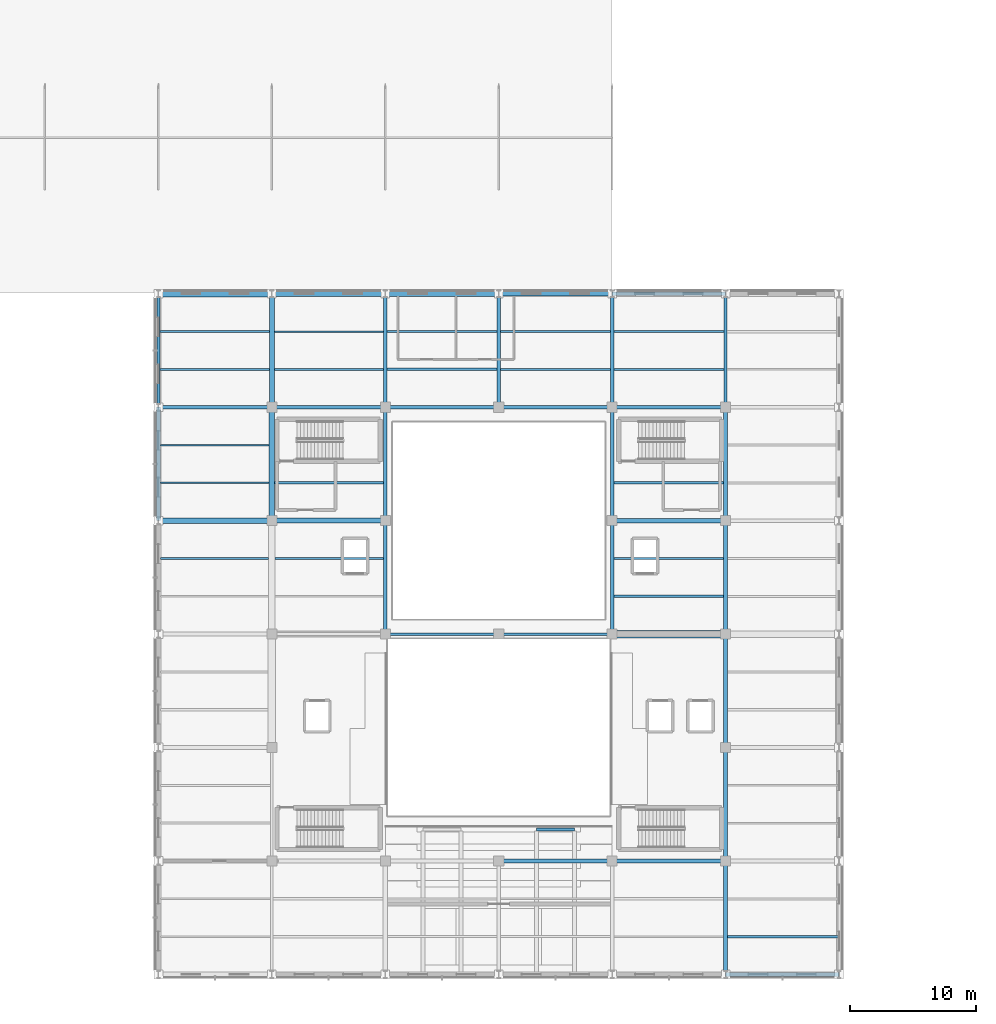
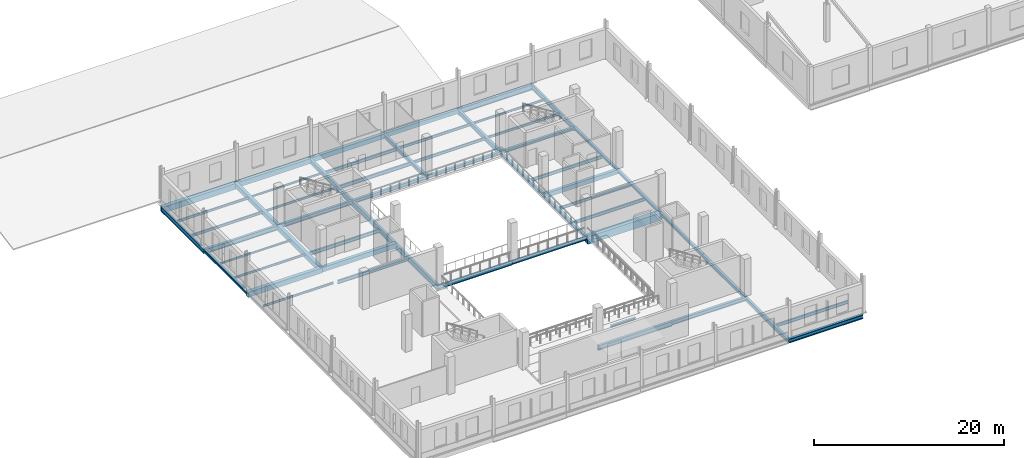
# One storey, part 6 of 35: 56 beams.
"""IFC4 building model written with IfcOpenShell, lengths in metres."""

from ifc_helpers import new_model, si_unit, direction, frame, origin, origin_2d, place, context, subcontext, project, spatial, rectangle, i_section, extrude, material, material_profile, profile_set, type_object, element, save


model = new_model("IFC4")

# Units and contexts
model_context = context("Model", 3, precision=1e-05, world=origin(), true_north=direction((0.0, 1.0)))
body_context = subcontext(model_context, "Body", "Model", "MODEL_VIEW")
ifc_project = project(units=[si_unit("LENGTHUNIT", "METRE"), si_unit("AREAUNIT", "SQUARE_METRE"), si_unit("VOLUMEUNIT", "CUBIC_METRE"), si_unit("PLANEANGLEUNIT", "RADIAN"), si_unit("MASSUNIT", "GRAM", prefix="KILO")], contexts=[model_context])

# Site, building, storey
site_placement = place(None, origin())
site = spatial("IfcSite", under=ifc_project, at=site_placement, CompositionType="ELEMENT")
building_placement = place(site_placement, origin())
building = spatial("IfcBuilding", under=site, at=building_placement, Name="Sundgate Opera House", CompositionType="ELEMENT")
storey_placement = place(building_placement, frame((0.0, 0.0, 21.60009765625)))
storey = spatial("IfcBuildingStorey", under=building, at=storey_placement, Name="L04", CompositionType="ELEMENT", Elevation=21.60009765625)

# Beams
ifc_material_1 = material(Name="Steel S355J2", Category="steel")
ifc_material_profile_1 = material_profile(ifc_material_1, i_section(OverallWidth=0.300048828125, OverallDepth=0.330078125, WebThickness=0.009521484375, FlangeThickness=0.0166015625, at=origin_2d()), Name="HEA 340")
ifc_profile_set_1 = profile_set([ifc_material_profile_1], Name="Steel S355J2")
beam_type_1 = type_object("IfcBeamType", Name="BM-GR-HEA340", PredefinedType="BEAM", material=ifc_profile_set_1)
for number, where, z_axis, x_axis, name in (
    (1, (27.0, 69.0, -0.445068359375), (0.0, 1.0, 0.0), (-1.0, 0.0, 0.0), "L04 Primary N-S Girder B2890"),
    (2, (72.0, 69.0, -0.445068359375), (0.0, 1.0, 0.0), (-1.0, 0.0, 0.0), "L04 Primary N-S Girder B2912"),
):
    element("IfcBeam", number, at=place(storey_placement, frame(where, z_axis=z_axis, x_axis=x_axis)), inside=storey, type_object=beam_type_1, Name=name, PredefinedType="BEAM", context=body_context, shape_type="SweptSolid", body=[
        extrude(i_section(OverallWidth=0.300048828125, OverallDepth=0.330078125, WebThickness=0.009521484375, FlangeThickness=0.0166015625, at=origin_2d()), origin(), (0.0, 0.0, 1.0), 9.0),
    ])
ifc_material_2 = material(Name="Steel S355J2", Category="steel")
ifc_material_profile_2 = material_profile(ifc_material_2, i_section(OverallWidth=0.300048828125, OverallDepth=0.35009765625, WebThickness=0.010009765625, FlangeThickness=0.017578125, at=origin_2d()), Name="HEA 360")
ifc_profile_set_2 = profile_set([ifc_material_profile_2], Name="Steel S355J2")
beam_type_2 = type_object("IfcBeamType", Name="BM-GR-HEA360", PredefinedType="BEAM", material=ifc_profile_set_2)
for number, where, z_axis, x_axis, name in (
    (3, (72.0, 60.0, -0.455078125), (0.0, 1.0, 0.0), (-1.0, 0.0, 0.0), "L04 Primary N-S Girder B2911"),
    (4, (63.0, 78.0, -0.455078125), (1.0, 0.0, 0.0), (0.0, 1.0, 0.0), "L04 Primary E-W Girder B2977"),
):
    element("IfcBeam", number, at=place(storey_placement, frame(where, z_axis=z_axis, x_axis=x_axis)), inside=storey, type_object=beam_type_2, Name=name, PredefinedType="BEAM", context=body_context, shape_type="SweptSolid", body=[
        extrude(i_section(OverallWidth=0.300048828125, OverallDepth=0.35009765625, WebThickness=0.010009765625, FlangeThickness=0.017578125, at=origin_2d()), origin(), (0.0, 0.0, 1.0), 9.0),
    ])
ifc_material_3 = material(Name="Steel S355J2", Category="steel")
ifc_material_profile_3 = material_profile(ifc_material_3, i_section(OverallWidth=0.300048828125, OverallDepth=0.389892578125, WebThickness=0.010986328125, FlangeThickness=0.01904296875, at=origin_2d()), Name="HEA 400")
ifc_profile_set_3 = profile_set([ifc_material_profile_3], Name="Steel S355J2")
beam_type_3 = type_object("IfcBeamType", Name="BM-GR-HEA400", PredefinedType="BEAM", material=ifc_profile_set_3)
for number, where, z_axis, x_axis, name in (
    (5, (72.0, 51.0, -0.47509765625), (0.0, 1.0, 0.0), (-1.0, 0.0, 0.0), "L04 Primary N-S Girder B2910"),
    (6, (54.0, 78.0, -0.47509765625), (1.0, 0.0, 0.0), (0.0, 1.0, 0.0), "L04 Primary E-W Girder B2976"),
):
    element("IfcBeam", number, at=place(storey_placement, frame(where, z_axis=z_axis, x_axis=x_axis)), inside=storey, type_object=beam_type_3, Name=name, PredefinedType="BEAM", context=body_context, shape_type="SweptSolid", body=[
        extrude(i_section(OverallWidth=0.300048828125, OverallDepth=0.389892578125, WebThickness=0.010986328125, FlangeThickness=0.01904296875, at=origin_2d()), origin(), (0.0, 0.0, 1.0), 9.0),
    ])
ifc_material_4 = material(Name="Steel S355J2", Category="steel")
ifc_material_profile_4 = material_profile(ifc_material_4, i_section(OverallWidth=0.300048828125, OverallDepth=0.43994140625, WebThickness=0.011474609375, FlangeThickness=0.02099609375, at=origin_2d()), Name="HEA 450")
ifc_profile_set_4 = profile_set([ifc_material_profile_4], Name="Steel S355J2")
beam_type_4 = type_object("IfcBeamType", Name="BM-GR-HEA450", PredefinedType="BEAM", material=ifc_profile_set_4)
for number, where, z_axis, x_axis, name in (
    (7, (72.0, 42.0, -0.5), (0.0, 1.0, 0.0), (-1.0, 0.0, 0.0), "L04 Primary N-S Girder B2909"),
    (8, (45.0, 78.0, -0.5), (1.0, 0.0, 0.0), (0.0, 1.0, 0.0), "L04 Primary E-W Girder B2975"),
):
    element("IfcBeam", number, at=place(storey_placement, frame(where, z_axis=z_axis, x_axis=x_axis)), inside=storey, type_object=beam_type_4, Name=name, PredefinedType="BEAM", context=body_context, shape_type="SweptSolid", body=[
        extrude(i_section(OverallWidth=0.300048828125, OverallDepth=0.43994140625, WebThickness=0.011474609375, FlangeThickness=0.02099609375, at=origin_2d()), origin(), (0.0, 0.0, 1.0), 9.0),
    ])
ifc_material_5 = material(Name="Steel S355J2", Category="steel")
ifc_material_profile_5 = material_profile(ifc_material_5, i_section(OverallWidth=0.300048828125, OverallDepth=0.489990234375, WebThickness=0.011962890625, FlangeThickness=0.02294921875, at=origin_2d()), Name="HEA 500")
ifc_profile_set_5 = profile_set([ifc_material_profile_5], Name="Steel S355J2")
beam_type_5 = type_object("IfcBeamType", Name="BM-GR-HEA500", PredefinedType="BEAM", material=ifc_profile_set_5)
for number, where, z_axis, x_axis, name in (
    (9, (72.0, 33.0, -0.525146484375), (0.0, 1.0, 0.0), (-1.0, 0.0, 0.0), "L04 Primary N-S Girder B2908"),
    (10, (63.0, 42.0, -0.525146484375), (1.0, 0.0, 0.0), (0.0, 1.0, 0.0), "L04 Primary E-W Girder B2952"),
    (11, (36.0, 78.0, -0.525146484375), (1.0, 0.0, 0.0), (0.0, 1.0, 0.0), "L04 Primary E-W Girder B2974"),
):
    element("IfcBeam", number, at=place(storey_placement, frame(where, z_axis=z_axis, x_axis=x_axis)), inside=storey, type_object=beam_type_5, Name=name, PredefinedType="BEAM", context=body_context, shape_type="SweptSolid", body=[
        extrude(i_section(OverallWidth=0.300048828125, OverallDepth=0.489990234375, WebThickness=0.011962890625, FlangeThickness=0.02294921875, at=origin_2d()), origin(), (0.0, 0.0, 1.0), 9.0),
    ])
ifc_material_6 = material(Name="Steel S355J2", Category="steel")
ifc_material_profile_6 = material_profile(ifc_material_6, i_section(OverallWidth=0.300048828125, OverallDepth=0.590087890625, WebThickness=0.012939453125, FlangeThickness=0.02490234375, at=origin_2d()), Name="HEA 600")
ifc_profile_set_6 = profile_set([ifc_material_profile_6], Name="Steel S355J2")
beam_type_6 = type_object("IfcBeamType", Name="BM-GR-HEA600", PredefinedType="BEAM", material=ifc_profile_set_6)
for number, where, z_axis, x_axis, name in (
    (12, (63.0, 78.0, -0.5751953125), (0.0, 1.0, 0.0), (-1.0, 0.0, 0.0), "L04 Primary N-S Girder B2907"),
    (13, (54.0, 42.0, -0.5751953125), (1.0, 0.0, 0.0), (0.0, 1.0, 0.0), "L04 Primary E-W Girder B2951"),
    (14, (27.0, 78.0, -0.5751953125), (1.0, 0.0, 0.0), (0.0, 1.0, 0.0), "L04 Primary E-W Girder B2973"),
):
    element("IfcBeam", number, at=place(storey_placement, frame(where, z_axis=z_axis, x_axis=x_axis)), inside=storey, type_object=beam_type_6, Name=name, PredefinedType="BEAM", context=body_context, shape_type="SweptSolid", body=[
        extrude(i_section(OverallWidth=0.300048828125, OverallDepth=0.590087890625, WebThickness=0.012939453125, FlangeThickness=0.02490234375, at=origin_2d()), origin(), (0.0, 0.0, 1.0), 9.0),
    ])
ifc_material_7 = material(Name="Steel S355J2", Category="steel")
ifc_material_profile_7 = material_profile(ifc_material_7, i_section(OverallWidth=0.300048828125, OverallDepth=0.360107421875, WebThickness=0.012451171875, FlangeThickness=0.0224609375, at=origin_2d()), Name="HEB 360")
ifc_profile_set_7 = profile_set([ifc_material_profile_7], Name="Steel S355J2")
beam_type_7 = type_object("IfcBeamType", Name="BM-GR-HEB360", PredefinedType="BEAM", material=ifc_profile_set_7)
beam_1_placement = place(storey_placement, frame((63.0, 69.0, -0.460205078125), z_axis=(0.0, 1.0, 0.0), x_axis=(-1.0, 0.0, 0.0)))
element("IfcBeam", 15, at=beam_1_placement, inside=storey, type_object=beam_type_7, Name="L04 Primary N-S Girder B2906", PredefinedType="BEAM", context=body_context, shape_type="SweptSolid", body=[
    extrude(i_section(OverallWidth=0.300048828125, OverallDepth=0.360107421875, WebThickness=0.012451171875, FlangeThickness=0.0224609375, at=origin_2d()), origin(), (0.0, 0.0, 1.0), 9.0),
])
ifc_material_8 = material(Name="Steel S355J2", Category="steel")
ifc_material_profile_8 = material_profile(ifc_material_8, i_section(OverallWidth=0.300048828125, OverallDepth=0.39990234375, WebThickness=0.013427734375, FlangeThickness=0.02392578125, at=origin_2d()), Name="HEB 400")
ifc_profile_set_8 = profile_set([ifc_material_profile_8], Name="Steel S355J2")
beam_type_8 = type_object("IfcBeamType", Name="BM-GR-HEB400", PredefinedType="BEAM", material=ifc_profile_set_8)
beam_2_placement = place(storey_placement, frame((63.0, 60.0, -0.47998046875), z_axis=(0.0, 1.0, 0.0), x_axis=(-1.0, 0.0, 0.0)))
element("IfcBeam", 16, at=beam_2_placement, inside=storey, type_object=beam_type_8, Name="L04 Primary N-S Girder B2905", PredefinedType="BEAM", context=body_context, shape_type="SweptSolid", body=[
    extrude(i_section(OverallWidth=0.300048828125, OverallDepth=0.39990234375, WebThickness=0.013427734375, FlangeThickness=0.02392578125, at=origin_2d()), origin(), (0.0, 0.0, 1.0), 9.0),
])
ifc_material_9 = material(Name="Steel S355J2", Category="steel")
ifc_material_profile_9 = material_profile(ifc_material_9, i_section(OverallWidth=0.300048828125, OverallDepth=0.5, WebThickness=0.014404296875, FlangeThickness=0.028076171875, at=origin_2d()), Name="HEB 500")
ifc_profile_set_9 = profile_set([ifc_material_profile_9], Name="Steel S355J2")
beam_type_9 = type_object("IfcBeamType", Name="BM-GR-HEB500", PredefinedType="BEAM", material=ifc_profile_set_9)
for number, where, z_axis, x_axis, name in (
    (17, (54.0, 78.0, -0.530029296875), (0.0, 1.0, 0.0), (-1.0, 0.0, 0.0), "L04 Primary N-S Girder B2903"),
    (18, (72.0, 33.0, -0.530029296875), (1.0, 0.0, 0.0), (0.0, 1.0, 0.0), "L04 Primary E-W Girder B2947"),
):
    element("IfcBeam", number, at=place(storey_placement, frame(where, z_axis=z_axis, x_axis=x_axis)), inside=storey, type_object=beam_type_9, Name=name, PredefinedType="BEAM", context=body_context, shape_type="SweptSolid", body=[
        extrude(i_section(OverallWidth=0.300048828125, OverallDepth=0.5, WebThickness=0.014404296875, FlangeThickness=0.028076171875, at=origin_2d()), origin(), (0.0, 0.0, 1.0), 9.0),
    ])
ifc_material_10 = material(Name="Steel S355J2", Category="steel")
ifc_material_profile_10 = material_profile(ifc_material_10, i_section(OverallWidth=0.300048828125, OverallDepth=0.60009765625, WebThickness=0.015380859375, FlangeThickness=0.030029296875, at=origin_2d()), Name="HEB 600")
ifc_profile_set_10 = profile_set([ifc_material_profile_10], Name="Steel S355J2")
beam_type_10 = type_object("IfcBeamType", Name="BM-GR-HEB600", PredefinedType="BEAM", material=ifc_profile_set_10)
beam_3_placement = place(storey_placement, frame((45.0, 78.0, -0.580078125), z_axis=(0.0, 1.0, 0.0), x_axis=(-1.0, 0.0, 0.0)))
element("IfcBeam", 19, at=beam_3_placement, inside=storey, type_object=beam_type_10, Name="L04 Primary N-S Girder B2901", PredefinedType="BEAM", context=body_context, shape_type="SweptSolid", body=[
    extrude(i_section(OverallWidth=0.300048828125, OverallDepth=0.60009765625, WebThickness=0.015380859375, FlangeThickness=0.030029296875, at=origin_2d()), origin(), (0.0, 0.0, 1.0), 9.0),
])
ifc_material_11 = material(Name="Steel S355J2", Category="steel")
ifc_material_profile_11 = material_profile(ifc_material_11, i_section(OverallWidth=0.300048828125, OverallDepth=0.64990234375, WebThickness=0.01611328125, FlangeThickness=0.031005859375, at=origin_2d()), Name="HEB 650")
ifc_profile_set_11 = profile_set([ifc_material_profile_11], Name="Steel S355J2")
beam_type_11 = type_object("IfcBeamType", Name="BM-GR-HEB650", PredefinedType="BEAM", material=ifc_profile_set_11)
beam_4_placement = place(storey_placement, frame((45.0, 69.0, -0.60498046875), z_axis=(0.0, 1.0, 0.0), x_axis=(-1.0, 0.0, 0.0)))
element("IfcBeam", 20, at=beam_4_placement, inside=storey, type_object=beam_type_11, Name="L04 Primary N-S Girder B2900", PredefinedType="BEAM", context=body_context, shape_type="SweptSolid", body=[
    extrude(i_section(OverallWidth=0.300048828125, OverallDepth=0.64990234375, WebThickness=0.01611328125, FlangeThickness=0.031005859375, at=origin_2d()), origin(), (0.0, 0.0, 1.0), 9.0),
])
ifc_material_12 = material(Name="Steel S355J2", Category="steel")
ifc_material_profile_12 = material_profile(ifc_material_12, i_section(OverallWidth=0.300048828125, OverallDepth=0.699951171875, WebThickness=0.01708984375, FlangeThickness=0.031982421875, at=origin_2d()), Name="HEB 700")
ifc_profile_set_12 = profile_set([ifc_material_profile_12], Name="Steel S355J2")
beam_type_12 = type_object("IfcBeamType", Name="BM-GR-HEB700", PredefinedType="BEAM", material=ifc_profile_set_12)
for number, where, z_axis, x_axis, name in (
    (21, (45.0, 60.0, -0.630126953125), (0.0, 1.0, 0.0), (-1.0, 0.0, 0.0), "L04 Primary N-S Girder B2899"),
    (22, (63.0, 87.0, -0.630126953125), (1.0, 0.0, 0.0), (0.0, 1.0, 0.0), "L04 Primary E-W Girder B2987"),
):
    element("IfcBeam", number, at=place(storey_placement, frame(where, z_axis=z_axis, x_axis=x_axis)), inside=storey, type_object=beam_type_12, Name=name, PredefinedType="BEAM", context=body_context, shape_type="SweptSolid", body=[
        extrude(i_section(OverallWidth=0.300048828125, OverallDepth=0.699951171875, WebThickness=0.01708984375, FlangeThickness=0.031982421875, at=origin_2d()), origin(), (0.0, 0.0, 1.0), 9.0),
    ])
ifc_material_13 = material(Name="Steel S355J2", Category="steel")
ifc_material_profile_13 = material_profile(ifc_material_13, i_section(OverallWidth=0.199951171875, OverallDepth=0.5, WebThickness=0.01025390625, FlangeThickness=0.01611328125, at=origin_2d()), Name="IPE 500")
ifc_profile_set_13 = profile_set([ifc_material_profile_13], Name="Steel S355J2")
beam_type_13 = type_object("IfcBeamType", Name="BM-GR-IPE500", PredefinedType="BEAM", material=ifc_profile_set_13)
beam_5_placement = place(storey_placement, frame((54.0, 60.0, -0.530029296875), z_axis=(1.0, 0.0, 0.0), x_axis=(0.0, 1.0, 0.0)))
element("IfcBeam", 23, at=beam_5_placement, inside=storey, type_object=beam_type_13, Name="L04 Primary E-W Girder B2959", PredefinedType="BEAM", context=body_context, shape_type="SweptSolid", body=[
    extrude(i_section(OverallWidth=0.199951171875, OverallDepth=0.5, WebThickness=0.01025390625, FlangeThickness=0.01611328125, at=origin_2d()), origin(), (0.0, 0.0, 1.0), 9.0),
])
ifc_material_14 = material(Name="Steel S355J2", Category="steel")
ifc_material_profile_14 = material_profile(ifc_material_14, i_section(OverallWidth=0.2099609375, OverallDepth=0.550048828125, WebThickness=0.010986328125, FlangeThickness=0.01708984375, at=origin_2d()), Name="IPE 550")
ifc_profile_set_14 = profile_set([ifc_material_profile_14], Name="Steel S355J2")
beam_type_14 = type_object("IfcBeamType", Name="BM-GR-IPE550", PredefinedType="BEAM", material=ifc_profile_set_14)
beam_6_placement = place(storey_placement, frame((45.0, 60.0, -0.55517578125), z_axis=(1.0, 0.0, 0.0), x_axis=(0.0, 1.0, 0.0)))
element("IfcBeam", 24, at=beam_6_placement, inside=storey, type_object=beam_type_14, Name="L04 Primary E-W Girder B2958", PredefinedType="BEAM", context=body_context, shape_type="SweptSolid", body=[
    extrude(i_section(OverallWidth=0.2099609375, OverallDepth=0.550048828125, WebThickness=0.010986328125, FlangeThickness=0.01708984375, at=origin_2d()), origin(), (0.0, 0.0, 1.0), 9.0),
])
ifc_material_15 = material(Name="Steel S355J2", Category="steel")
ifc_material_profile_15 = material_profile(ifc_material_15, i_section(OverallWidth=0.219970703125, OverallDepth=0.60009765625, WebThickness=0.011962890625, FlangeThickness=0.01904296875, at=origin_2d()), Name="IPE 600")
ifc_profile_set_15 = profile_set([ifc_material_profile_15], Name="Steel S355J2")
beam_type_15 = type_object("IfcBeamType", Name="BM-GR-IPE600", PredefinedType="BEAM", material=ifc_profile_set_15)
for number, where, z_axis, x_axis, name in (
    (25, (27.0, 78.0, -0.580078125), (0.0, 1.0, 0.0), (-1.0, 0.0, 0.0), "L04 Primary N-S Girder B2891"),
    (26, (72.0, 78.0, -0.580078125), (0.0, 1.0, 0.0), (-1.0, 0.0, 0.0), "L04 Primary N-S Girder B2913"),
):
    element("IfcBeam", number, at=place(storey_placement, frame(where, z_axis=z_axis, x_axis=x_axis)), inside=storey, type_object=beam_type_15, Name=name, PredefinedType="BEAM", context=body_context, shape_type="SweptSolid", body=[
        extrude(i_section(OverallWidth=0.219970703125, OverallDepth=0.60009765625, WebThickness=0.011962890625, FlangeThickness=0.01904296875, at=origin_2d()), origin(), (0.0, 0.0, 1.0), 9.0),
    ])
ifc_material_16 = material(Name="Steel S355J2", Category="steel")
ifc_material_profile_16 = material_profile(ifc_material_16, i_section(OverallWidth=0.1201171875, OverallDepth=0.239990234375, WebThickness=0.006103515625, FlangeThickness=0.009765625, at=origin_2d()), Name="IPE 240")
ifc_profile_set_16 = profile_set([ifc_material_profile_16], Name="Steel S355J2")
beam_type_16 = type_object("IfcBeamType", Name="BM-JS-IPE240", PredefinedType="JOIST", material=ifc_profile_set_16)
beam_7_placement = place(storey_placement, frame((27.14990234375, 75.0, -0.400146484375), z_axis=(1.0, 0.0, 0.0), x_axis=(0.0, 1.0, 0.0)))
element("IfcBeam", 27, at=beam_7_placement, inside=storey, type_object=beam_type_16, Name="L04 Secondary Floor Joist B3032", PredefinedType="JOIST", context=body_context, shape_type="SweptSolid", body=[
    extrude(i_section(OverallWidth=0.1201171875, OverallDepth=0.239990234375, WebThickness=0.006103515625, FlangeThickness=0.009765625, at=origin_2d()), origin(), (0.0, 0.0, 1.0), 8.625),
])
beam_8_placement = place(storey_placement, frame((36.199951171875, 84.0, -0.400146484375), z_axis=(1.0, 0.0, 0.0), x_axis=(0.0, 1.0, 0.0)))
element("IfcBeam", 28, at=beam_8_placement, inside=storey, type_object=beam_type_16, Name="L04 Secondary Floor Joist B3046", PredefinedType="JOIST", context=body_context, shape_type="SweptSolid", body=[
    extrude(i_section(OverallWidth=0.1201171875, OverallDepth=0.239990234375, WebThickness=0.006103515625, FlangeThickness=0.009765625, at=origin_2d()), origin(), (0.0, 0.0, 1.0), 8.650146484375),
])
ifc_material_17 = material(Name="Steel S355J2", Category="steel")
ifc_material_profile_17 = material_profile(ifc_material_17, i_section(OverallWidth=0.135009765625, OverallDepth=0.27001953125, WebThickness=0.006591796875, FlangeThickness=0.01025390625, at=origin_2d()), Name="IPE 270")
ifc_profile_set_17 = profile_set([ifc_material_profile_17], Name="Steel S355J2")
beam_type_17 = type_object("IfcBeamType", Name="BM-JS-IPE270", PredefinedType="JOIST", material=ifc_profile_set_17)
beam_9_placement = place(storey_placement, frame((27.14990234375, 66.0, -0.4150390625), z_axis=(1.0, 0.0, 0.0), x_axis=(0.0, 1.0, 0.0)))
element("IfcBeam", 29, at=beam_9_placement, inside=storey, type_object=beam_type_17, Name="L04 Secondary Floor Joist B3024", PredefinedType="JOIST", context=body_context, shape_type="SweptSolid", body=[
    extrude(i_section(OverallWidth=0.135009765625, OverallDepth=0.27001953125, WebThickness=0.006591796875, FlangeThickness=0.01025390625, at=origin_2d()), origin(), (0.0, 0.0, 1.0), 8.60009765625),
])
beam_10_placement = place(storey_placement, frame((27.14990234375, 72.0, -0.4150390625), z_axis=(1.0, 0.0, 0.0), x_axis=(0.0, 1.0, 0.0)))
element("IfcBeam", 30, at=beam_10_placement, inside=storey, type_object=beam_type_17, Name="L04 Secondary Floor Joist B3031", PredefinedType="JOIST", context=body_context, shape_type="SweptSolid", body=[
    extrude(i_section(OverallWidth=0.135009765625, OverallDepth=0.27001953125, WebThickness=0.006591796875, FlangeThickness=0.01025390625, at=origin_2d()), origin(), (0.0, 0.0, 1.0), 8.625),
])
beam_11_placement = place(storey_placement, frame((36.199951171875, 81.0, -0.4150390625), z_axis=(1.0, 0.0, 0.0), x_axis=(0.0, 1.0, 0.0)))
element("IfcBeam", 31, at=beam_11_placement, inside=storey, type_object=beam_type_17, Name="L04 Secondary Floor Joist B3045", PredefinedType="JOIST", context=body_context, shape_type="SweptSolid", body=[
    extrude(i_section(OverallWidth=0.135009765625, OverallDepth=0.27001953125, WebThickness=0.006591796875, FlangeThickness=0.01025390625, at=origin_2d()), origin(), (0.0, 0.0, 1.0), 8.650146484375),
])
beam_12_placement = place(storey_placement, frame((63.14990234375, 84.0, -0.4150390625), z_axis=(1.0, 0.0, 0.0), x_axis=(0.0, 1.0, 0.0)))
element("IfcBeam", 32, at=beam_12_placement, inside=storey, type_object=beam_type_17, Name="L04 Secondary Floor Joist B3052", PredefinedType="JOIST", context=body_context, shape_type="SweptSolid", body=[
    extrude(i_section(OverallWidth=0.135009765625, OverallDepth=0.27001953125, WebThickness=0.006591796875, FlangeThickness=0.01025390625, at=origin_2d()), origin(), (0.0, 0.0, 1.0), 8.739990234375),
])
ifc_material_18 = material(Name="Steel S355J2", Category="steel")
ifc_material_profile_18 = material_profile(ifc_material_18, i_section(OverallWidth=0.14990234375, OverallDepth=0.300048828125, WebThickness=0.007080078125, FlangeThickness=0.0107421875, at=origin_2d()), Name="IPE 300")
ifc_profile_set_18 = profile_set([ifc_material_profile_18], Name="Steel S355J2")
beam_type_18 = type_object("IfcBeamType", Name="BM-JS-IPE300", PredefinedType="JOIST", material=ifc_profile_set_18)
beam_13_placement = place(storey_placement, frame((27.110107421875, 84.0, -0.43017578125), z_axis=(1.0, 0.0, 0.0), x_axis=(0.0, 1.0, 0.0)))
element("IfcBeam", 33, at=beam_13_placement, inside=storey, type_object=beam_type_18, Name="L04 Secondary Floor Joist B3044", PredefinedType="JOIST", context=body_context, shape_type="SweptSolid", body=[
    extrude(i_section(OverallWidth=0.14990234375, OverallDepth=0.300048828125, WebThickness=0.007080078125, FlangeThickness=0.0107421875, at=origin_2d()), origin(), (0.0, 0.0, 1.0), 8.68994140625),
])
beam_14_placement = place(storey_placement, frame((63.14990234375, 81.0, -0.43017578125), z_axis=(1.0, 0.0, 0.0), x_axis=(0.0, 1.0, 0.0)))
element("IfcBeam", 34, at=beam_14_placement, inside=storey, type_object=beam_type_18, Name="L04 Secondary Floor Joist B3051", PredefinedType="JOIST", context=body_context, shape_type="SweptSolid", body=[
    extrude(i_section(OverallWidth=0.14990234375, OverallDepth=0.300048828125, WebThickness=0.007080078125, FlangeThickness=0.0107421875, at=origin_2d()), origin(), (0.0, 0.0, 1.0), 8.739990234375),
])
ifc_material_19 = material(Name="Steel S355J2", Category="steel")
ifc_material_profile_19 = material_profile(ifc_material_19, i_section(OverallWidth=0.159912109375, OverallDepth=0.330078125, WebThickness=0.007568359375, FlangeThickness=0.011474609375, at=origin_2d()), Name="IPE 330")
ifc_profile_set_19 = profile_set([ifc_material_profile_19], Name="Steel S355J2")
beam_type_19 = type_object("IfcBeamType", Name="BM-JS-IPE330", PredefinedType="JOIST", material=ifc_profile_set_19)
beam_15_placement = place(storey_placement, frame((27.110107421875, 81.0, -0.445068359375), z_axis=(1.0, 0.0, 0.0), x_axis=(0.0, 1.0, 0.0)))
element("IfcBeam", 35, at=beam_15_placement, inside=storey, type_object=beam_type_19, Name="L04 Secondary Floor Joist B3043", PredefinedType="JOIST", context=body_context, shape_type="SweptSolid", body=[
    extrude(i_section(OverallWidth=0.159912109375, OverallDepth=0.330078125, WebThickness=0.007568359375, FlangeThickness=0.011474609375, at=origin_2d()), origin(), (0.0, 0.0, 1.0), 8.68994140625),
])
beam_16_placement = place(storey_placement, frame((54.14990234375, 84.0, -0.445068359375), z_axis=(1.0, 0.0, 0.0), x_axis=(0.0, 1.0, 0.0)))
element("IfcBeam", 36, at=beam_16_placement, inside=storey, type_object=beam_type_19, Name="L04 Secondary Floor Joist B3050", PredefinedType="JOIST", context=body_context, shape_type="SweptSolid", body=[
    extrude(i_section(OverallWidth=0.159912109375, OverallDepth=0.330078125, WebThickness=0.007568359375, FlangeThickness=0.011474609375, at=origin_2d()), origin(), (0.0, 0.0, 1.0), 8.7001953125),
])
ifc_material_20 = material(Name="Steel S355J2", Category="steel")
ifc_material_profile_20 = material_profile(ifc_material_20, i_section(OverallWidth=0.169921875, OverallDepth=0.360107421875, WebThickness=0.008056640625, FlangeThickness=0.0126953125, at=origin_2d()), Name="IPE 360")
ifc_profile_set_20 = profile_set([ifc_material_profile_20], Name="Steel S355J2")
beam_type_20 = type_object("IfcBeamType", Name="BM-JS-IPE360", PredefinedType="JOIST", material=ifc_profile_set_20)
for number, where, z_axis, x_axis, name in (
    (37, (63.14990234375, 66.0, -0.460205078125), (1.0, 0.0, 0.0), (0.0, 1.0, 0.0), "L04 Secondary Floor Joist B3028"),
    (38, (54.14990234375, 81.0, -0.460205078125), (1.0, 0.0, 0.0), (0.0, 1.0, 0.0), "L04 Secondary Floor Joist B3049"),
):
    element("IfcBeam", number, at=place(storey_placement, frame(where, z_axis=z_axis, x_axis=x_axis)), inside=storey, type_object=beam_type_20, Name=name, PredefinedType="JOIST", context=body_context, shape_type="SweptSolid", body=[
        extrude(i_section(OverallWidth=0.169921875, OverallDepth=0.360107421875, WebThickness=0.008056640625, FlangeThickness=0.0126953125, at=origin_2d()), origin(), (0.0, 0.0, 1.0), 8.7001953125),
    ])
ifc_material_21 = material(Name="Steel S355J2", Category="steel")
ifc_material_profile_21 = material_profile(ifc_material_21, i_section(OverallWidth=0.179931640625, OverallDepth=0.39990234375, WebThickness=0.008544921875, FlangeThickness=0.013427734375, at=origin_2d()), Name="IPE 400")
ifc_profile_set_21 = profile_set([ifc_material_profile_21], Name="Steel S355J2")
beam_type_21 = type_object("IfcBeamType", Name="BM-JS-IPE400", PredefinedType="JOIST", material=ifc_profile_set_21)
beam_17_placement = place(storey_placement, frame((72.14990234375, 36.0, -0.47998046875), z_axis=(1.0, 0.0, 0.0), x_axis=(0.0, 1.0, 0.0)))
element("IfcBeam", 39, at=beam_17_placement, inside=storey, type_object=beam_type_21, Name="L04 Secondary Floor Joist B3013", PredefinedType="JOIST", context=body_context, shape_type="SweptSolid", body=[
    extrude(i_section(OverallWidth=0.179931640625, OverallDepth=0.39990234375, WebThickness=0.008544921875, FlangeThickness=0.013427734375, at=origin_2d()), origin(), (0.0, 0.0, 1.0), 8.7451171875),
])
for number, where, z_axis, x_axis, name in (
    (40, (63.14990234375, 63.0, -0.47998046875), (1.0, 0.0, 0.0), (0.0, 1.0, 0.0), "L04 Secondary Floor Joist B3027"),
    (41, (63.14990234375, 72.0, -0.47998046875), (1.0, 0.0, 0.0), (0.0, 1.0, 0.0), "L04 Secondary Floor Joist B3034"),
    (42, (45.14990234375, 84.0, -0.47998046875), (1.0, 0.0, 0.0), (0.0, 1.0, 0.0), "L04 Secondary Floor Joist B3048"),
):
    element("IfcBeam", number, at=place(storey_placement, frame(where, z_axis=z_axis, x_axis=x_axis)), inside=storey, type_object=beam_type_21, Name=name, PredefinedType="JOIST", context=body_context, shape_type="SweptSolid", body=[
        extrude(i_section(OverallWidth=0.179931640625, OverallDepth=0.39990234375, WebThickness=0.008544921875, FlangeThickness=0.013427734375, at=origin_2d()), origin(), (0.0, 0.0, 1.0), 8.7001953125),
    ])
ifc_material_22 = material(Name="Steel S355J2", Category="steel")
ifc_material_profile_22 = material_profile(ifc_material_22, i_section(OverallWidth=0.18994140625, OverallDepth=0.449951171875, WebThickness=0.009521484375, FlangeThickness=0.0146484375, at=origin_2d()), Name="IPE 450")
ifc_profile_set_22 = profile_set([ifc_material_profile_22], Name="Steel S355J2")
beam_type_22 = type_object("IfcBeamType", Name="BM-JS-IPE450", PredefinedType="JOIST", material=ifc_profile_set_22)
beam_18_placement = place(storey_placement, frame((36.25, 66.0, -0.505126953125), z_axis=(1.0, 0.0, 0.0), x_axis=(0.0, 1.0, 0.0)))
element("IfcBeam", 43, at=beam_18_placement, inside=storey, type_object=beam_type_22, Name="L04 Secondary Floor Joist B3026", PredefinedType="JOIST", context=body_context, shape_type="SweptSolid", body=[
    extrude(i_section(OverallWidth=0.18994140625, OverallDepth=0.449951171875, WebThickness=0.009521484375, FlangeThickness=0.0146484375, at=origin_2d()), origin(), (0.0, 0.0, 1.0), 8.60009765625),
])
beam_19_placement = place(storey_placement, frame((36.22509765625, 72.0, -0.505126953125), z_axis=(1.0, 0.0, 0.0), x_axis=(0.0, 1.0, 0.0)))
element("IfcBeam", 44, at=beam_19_placement, inside=storey, type_object=beam_type_22, Name="L04 Secondary Floor Joist B3033", PredefinedType="JOIST", context=body_context, shape_type="SweptSolid", body=[
    extrude(i_section(OverallWidth=0.18994140625, OverallDepth=0.449951171875, WebThickness=0.009521484375, FlangeThickness=0.0146484375, at=origin_2d()), origin(), (0.0, 0.0, 1.0), 8.625),
])
beam_20_placement = place(storey_placement, frame((45.14990234375, 81.0, -0.505126953125), z_axis=(1.0, 0.0, 0.0), x_axis=(0.0, 1.0, 0.0)))
element("IfcBeam", 45, at=beam_20_placement, inside=storey, type_object=beam_type_22, Name="L04 Secondary Floor Joist B3047", PredefinedType="JOIST", context=body_context, shape_type="SweptSolid", body=[
    extrude(i_section(OverallWidth=0.18994140625, OverallDepth=0.449951171875, WebThickness=0.009521484375, FlangeThickness=0.0146484375, at=origin_2d()), origin(), (0.0, 0.0, 1.0), 8.7001953125),
])
ifc_material_23 = material(Name="Concrete C35/45", Category="concrete")
ifc_material_profile_23 = material_profile(ifc_material_23, rectangle(XDim=0.35009765625, YDim=0.550048828125, at=origin_2d()), Name="RC 350x550")
ifc_profile_set_23 = profile_set([ifc_material_profile_23], Name="Concrete C35/45")
beam_type_23 = type_object("IfcBeamType", Name="BM-RC-350x550", PredefinedType="BEAM", material=ifc_profile_set_23)
for number, where, z_axis, x_axis, name in (
    (46, (63.0, 69.0, -0.55517578125), (1.0, 0.0, 0.0), (0.0, 1.0, 0.0), "L04 Primary E-W Girder B2964"),
    (47, (54.0, 87.0, -0.55517578125), (1.0, 0.0, 0.0), (0.0, 1.0, 0.0), "L04 Primary E-W Girder B2986"),
):
    element("IfcBeam", number, at=place(storey_placement, frame(where, z_axis=z_axis, x_axis=x_axis)), inside=storey, type_object=beam_type_23, Name=name, PredefinedType="BEAM", context=body_context, shape_type="SweptSolid", body=[
        extrude(rectangle(XDim=0.35009765625, YDim=0.550048828125, at=origin_2d()), origin(), (0.0, 0.0, 1.0), 9.0),
    ])
ifc_material_24 = material(Name="Concrete C35/45", Category="concrete")
ifc_material_profile_24 = material_profile(ifc_material_24, rectangle(XDim=0.39990234375, YDim=0.60009765625, at=origin_2d()), Name="RC 400x600")
ifc_profile_set_24 = profile_set([ifc_material_profile_24], Name="Concrete C35/45")
beam_type_24 = type_object("IfcBeamType", Name="BM-RC-400x600", PredefinedType="BEAM", material=ifc_profile_set_24)
for number, where, z_axis, x_axis, name in (
    (48, (36.0, 78.0, -0.580078125), (0.0, 1.0, 0.0), (-1.0, 0.0, 0.0), "L04 Primary N-S Girder B2897"),
    (49, (36.0, 69.0, -0.580078125), (1.0, 0.0, 0.0), (0.0, 1.0, 0.0), "L04 Primary E-W Girder B2963"),
    (50, (45.0, 87.0, -0.580078125), (1.0, 0.0, 0.0), (0.0, 1.0, 0.0), "L04 Primary E-W Girder B2985"),
):
    element("IfcBeam", number, at=place(storey_placement, frame(where, z_axis=z_axis, x_axis=x_axis)), inside=storey, type_object=beam_type_24, Name=name, PredefinedType="BEAM", context=body_context, shape_type="SweptSolid", body=[
        extrude(rectangle(XDim=0.39990234375, YDim=0.60009765625, at=origin_2d()), origin(), (0.0, 0.0, 1.0), 9.0),
    ])
ifc_material_25 = material(Name="Concrete C35/45", Category="concrete")
ifc_material_profile_25 = material_profile(ifc_material_25, rectangle(XDim=0.449951171875, YDim=0.64990234375, at=origin_2d()), Name="RC 450x650")
ifc_profile_set_25 = profile_set([ifc_material_profile_25], Name="Concrete C35/45")
beam_type_25 = type_object("IfcBeamType", Name="BM-RC-450x650", PredefinedType="BEAM", material=ifc_profile_set_25)
for number, where, z_axis, x_axis, name in (
    (51, (36.0, 69.0, -0.60498046875), (0.0, 1.0, 0.0), (-1.0, 0.0, 0.0), "L04 Primary N-S Girder B2896"),
    (52, (27.0, 69.0, -0.60498046875), (1.0, 0.0, 0.0), (0.0, 1.0, 0.0), "L04 Primary E-W Girder B2962"),
    (53, (36.0, 87.0, -0.60498046875), (1.0, 0.0, 0.0), (0.0, 1.0, 0.0), "L04 Primary E-W Girder B2984"),
):
    element("IfcBeam", number, at=place(storey_placement, frame(where, z_axis=z_axis, x_axis=x_axis)), inside=storey, type_object=beam_type_25, Name=name, PredefinedType="BEAM", context=body_context, shape_type="SweptSolid", body=[
        extrude(rectangle(XDim=0.449951171875, YDim=0.64990234375, at=origin_2d()), origin(), (0.0, 0.0, 1.0), 9.0),
    ])
ifc_material_26 = material(Name="Concrete C40/50", Category="concrete")
ifc_material_profile_26 = material_profile(ifc_material_26, rectangle(XDim=0.5, YDim=0.75, at=origin_2d()), Name="RC 500x750")
ifc_profile_set_26 = profile_set([ifc_material_profile_26], Name="Concrete C40/50")
beam_type_26 = type_object("IfcBeamType", Name="BM-RC-500x750", PredefinedType="BEAM", material=ifc_profile_set_26)
beam_21_placement = place(storey_placement, frame((27.0, 87.0, -0.655029296875), z_axis=(1.0, 0.0, 0.0), x_axis=(0.0, 1.0, 0.0)))
element("IfcBeam", 54, at=beam_21_placement, inside=storey, type_object=beam_type_26, Name="L04 Primary E-W Girder B2983", PredefinedType="BEAM", context=body_context, shape_type="SweptSolid", body=[
    extrude(rectangle(XDim=0.5, YDim=0.75, at=origin_2d()), origin(), (0.0, 0.0, 1.0), 9.0),
])
ifc_material_27 = material(Name="Concrete C40/50", Category="concrete")
ifc_material_profile_27 = material_profile(ifc_material_27, rectangle(XDim=0.60009765625, YDim=0.949951171875, at=origin_2d()), Name="RC 600x950")
ifc_profile_set_27 = profile_set([ifc_material_profile_27], Name="Concrete C40/50")
beam_type_27 = type_object("IfcBeamType", Name="BM-RC-600x950", PredefinedType="BEAM", material=ifc_profile_set_27)
beam_22_placement = place(storey_placement, frame((63.0, 60.0, -0.755126953125), z_axis=(1.0, 0.0, 0.0), x_axis=(0.0, 1.0, 0.0)))
element("IfcBeam", 55, at=beam_22_placement, inside=storey, type_object=beam_type_27, Name="L04 Primary E-W Girder B2960", PredefinedType="BEAM", context=body_context, shape_type="SweptSolid", body=[
    extrude(rectangle(XDim=0.60009765625, YDim=0.949951171875, at=origin_2d()), origin(), (0.0, 0.0, 1.0), 9.0),
])
ifc_material_28 = material(Name="Steel S355J2", Category="steel")
ifc_material_profile_28 = material_profile(ifc_material_28, i_section(OverallWidth=0.260009765625, OverallDepth=0.260009765625, WebThickness=0.010009765625, FlangeThickness=0.017578125, at=origin_2d()), Name="HEB 260")
ifc_profile_set_28 = profile_set([ifc_material_profile_28], Name="Steel S355J2")
beam_type_28 = type_object("IfcBeamType", Name="BM-RK-HEB260", PredefinedType="USERDEFINED", material=ifc_profile_set_28)
beam_23_placement = place(storey_placement, frame((57.0, 44.5, -0.41015625), z_axis=(1.0, 0.0, 0.0), x_axis=(0.0, 1.0, 0.0)))
element("IfcBeam", 56, at=beam_23_placement, inside=storey, type_object=beam_type_28, Name="L04 Balcony Tip Trimmer Raker B3348", ObjectType="RAKER", PredefinedType="USERDEFINED", context=body_context, shape_type="SweptSolid", body=[
    extrude(i_section(OverallWidth=0.260009765625, OverallDepth=0.260009765625, WebThickness=0.010009765625, FlangeThickness=0.017578125, at=origin_2d()), origin(), (0.0, 0.0, 1.0), 3.0),
])

save(model, "model.ifc")
